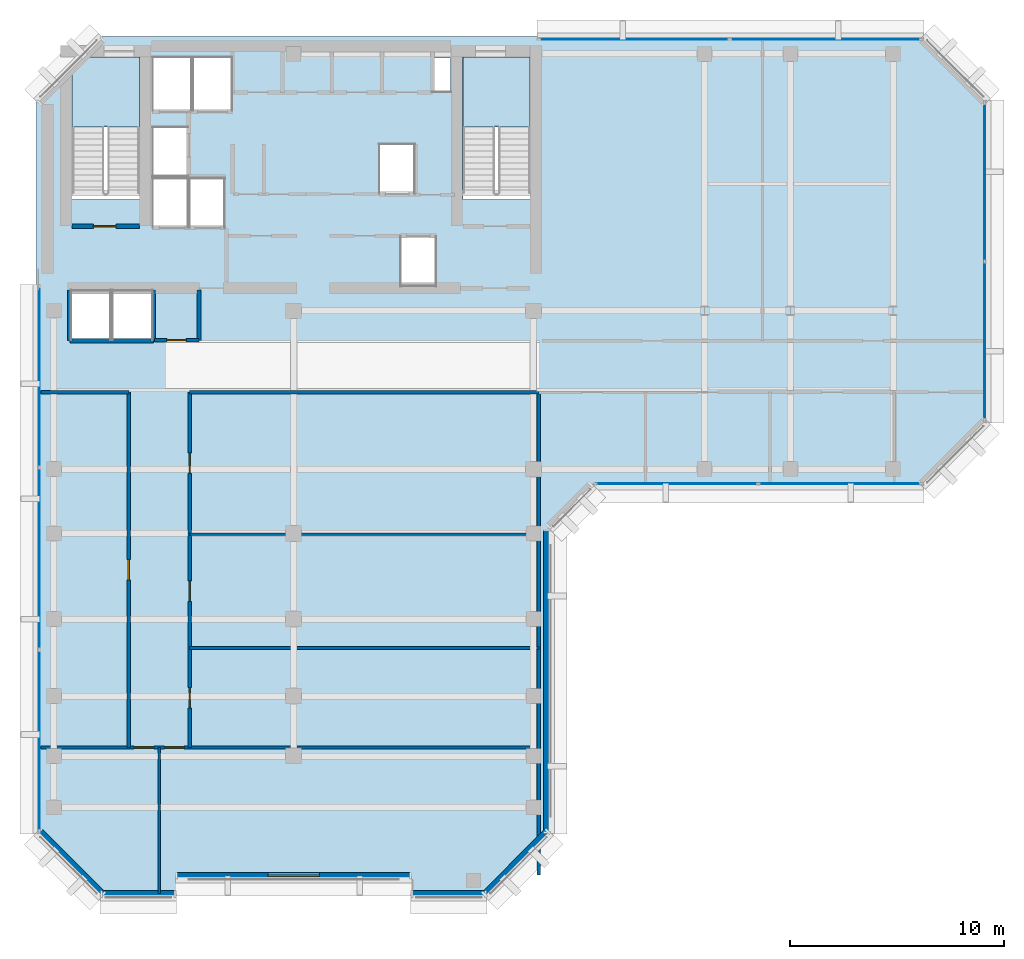
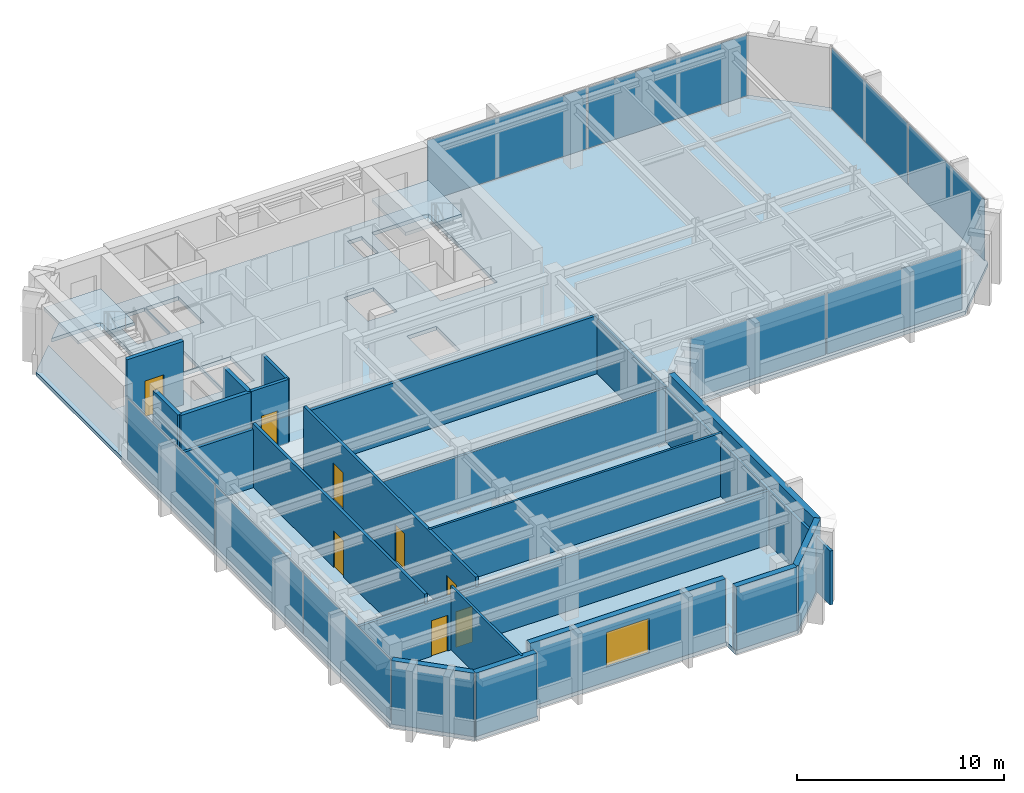
# One storey, part 6 of 12: 21 walls, 9 plates, 8 doors, 3 slabs, 1 window, 9 openings, 6 elements without a shape of their own.
"""IFC4 building model written with IfcOpenShell, lengths in metres."""

from ifc_helpers import new_model, si_unit, direction, frame, frame_2d, origin, origin_2d, place, context, subcontext, project, spatial, polyline, rectangle, outline, extrude, material, layer, layer_set, type_object, element, fill, aggregate, save


model = new_model("IFC4")

# Units and contexts
model_context = context("Model", 3, precision=1e-05, world=origin(), true_north=direction((0.0, 1.0)))
body_context = subcontext(model_context, "Body", "Model", "MODEL_VIEW")
ifc_project = project(units=[si_unit("LENGTHUNIT", "METRE"), si_unit("AREAUNIT", "SQUARE_METRE"), si_unit("VOLUMEUNIT", "CUBIC_METRE"), si_unit("PLANEANGLEUNIT", "RADIAN"), si_unit("MASSUNIT", "GRAM", prefix="KILO")], contexts=[model_context])

# Site, building, storey
site_placement = place(None, origin())
site = spatial("IfcSite", under=ifc_project, at=site_placement, CompositionType="ELEMENT")
building_placement = place(site_placement, origin())
building = spatial("IfcBuilding", under=site, at=building_placement, Name="Kefirva Bronze Tower", CompositionType="ELEMENT")
storey_placement = place(building_placement, frame((0.0, 0.0, 280.169921875)))
storey = spatial("IfcBuildingStorey", under=building, at=storey_placement, Name="L68", CompositionType="ELEMENT", Elevation=280.169921875)

# Stair, slab
ifc_material_1 = material(Name="Concrete C40/50", Category="concrete")
stair_type = type_object("IfcStairType", Name="RC Dogleg Protected Stair 24R", PredefinedType="HALF_TURN_STAIR", material=ifc_material_1)
stair_1_placement = place(storey_placement, origin())
stair_1 = element("IfcStair", 1, at=stair_1_placement, inside=storey, type_object=stair_type, Name="L68 Protected Exit Stair 1", PredefinedType="HALF_TURN_STAIR")
ifc_layer_1 = layer(ifc_material_1, 0.199951171875, Name="Concrete C40/50")
ifc_layer_set_1 = layer_set([ifc_layer_1], Name="Concrete C40/50")
slab_type_1 = type_object("IfcSlabType", Name="RC Stair Landing Slab 200mm", PredefinedType="LANDING", material=ifc_layer_set_1)
slab_1_placement = place(storey_placement, frame((0.0, 0.0, 1.780029296875)))
slab_1 = element("IfcSlab", 2, at=slab_1_placement, type_object=slab_type_1, Name="ST-1 landing 1", PredefinedType="LANDING", context=body_context, shape_type="SweptSolid", body=[
    extrude(outline(polyline([(4.800048828125, 41.780029296875), (4.800048828125, 45.050048828125), (1.64990234375, 45.050048828125), (1.64990234375, 41.780029296875), (4.800048828125, 41.780029296875)])), origin(), (0.0, 0.0, 1.0), 0.199951171875),
])
aggregate(stair_1, [slab_1])

stair_2_placement = place(storey_placement, origin())
stair_2 = element("IfcStair", 3, at=stair_2_placement, inside=storey, type_object=stair_type, Name="L68 Protected Exit Stair 2", PredefinedType="HALF_TURN_STAIR")
slab_2_placement = place(storey_placement, frame((0.0, 0.0, 1.780029296875)))
slab_2 = element("IfcSlab", 4, at=slab_2_placement, type_object=slab_type_1, Name="ST-2 landing 1", PredefinedType="LANDING", context=body_context, shape_type="SweptSolid", body=[
    extrude(outline(polyline([(23.050048828125, 41.780029296875), (23.050048828125, 45.050048828125), (19.89990234375, 45.050048828125), (19.89990234375, 41.780029296875), (23.050048828125, 41.780029296875)])), origin(), (0.0, 0.0, 1.0), 0.199951171875),
])
aggregate(stair_2, [slab_2])

# Slab
ifc_layer_2 = layer(ifc_material_1, 0.219970703125, Name="Concrete C40/50")
ifc_layer_set_2 = layer_set([ifc_layer_2], Name="Concrete C40/50")
slab_type_2 = type_object("IfcSlabType", Name="RC Upper Floor Slab 220mm", PredefinedType="FLOOR", material=ifc_layer_set_2)
slab_3_placement = place(storey_placement, frame((0.0, 0.0, -0.219970703125)))
element("IfcSlab", 5, at=slab_3_placement, inside=storey, type_object=slab_type_2, Name="L68 Structural Floor Slab", PredefinedType="FLOOR", context=body_context, shape_type="SweptSolid", body=[
    extrude(outline(polyline([(0.0, 8.800048828125), (0.0, 43.0), (1.64990234375, 44.64990234375), (1.64990234375, 38.39990234375), (4.800048828125, 38.39990234375), (4.800048828125, 45.050048828125), (2.050048828125, 45.050048828125), (3.0, 46.0), (41.39990234375, 46.0), (44.39990234375, 43.0), (44.39990234375, 28.0), (41.39990234375, 25.0), (26.0, 25.0), (24.0, 23.0), (24.0, 8.800048828125), (21.0, 5.800048828125), (17.5, 5.800048828125), (17.5, 6.64990234375), (6.5, 6.64990234375), (6.5, 5.800048828125), (3.0, 5.800048828125), (0.0, 8.800048828125)]), holes=[polyline([(23.050048828125, 45.050048828125), (19.89990234375, 45.050048828125), (19.89990234375, 38.39990234375), (23.050048828125, 38.39990234375), (23.050048828125, 45.050048828125)]), polyline([(19.320068359375, 43.419921875), (19.320068359375, 45.0), (18.52001953125, 45.0), (18.52001953125, 43.419921875), (19.320068359375, 43.419921875)]), polyline([(18.64990234375, 36.64990234375), (17.0, 36.64990234375), (17.0, 34.35009765625), (18.64990234375, 34.35009765625), (18.64990234375, 36.64990234375)]), polyline([(17.64990234375, 38.679931640625), (17.64990234375, 40.97998046875), (16.0, 40.97998046875), (16.0, 38.679931640625), (17.64990234375, 38.679931640625)]), polyline([(9.1201171875, 42.550048828125), (9.1201171875, 45.050048828125), (7.300048828125, 45.050048828125), (7.300048828125, 42.550048828125), (9.1201171875, 42.550048828125)]), polyline([(8.780029296875, 37.10009765625), (8.780029296875, 39.39990234375), (7.139892578125, 39.39990234375), (7.139892578125, 37.10009765625), (8.780029296875, 37.10009765625)]), polyline([(7.239990234375, 42.550048828125), (7.239990234375, 45.050048828125), (5.419921875, 45.050048828125), (5.419921875, 42.550048828125), (7.239990234375, 42.550048828125)]), polyline([(7.06005859375, 37.10009765625), (7.06005859375, 39.39990234375), (5.419921875, 39.39990234375), (5.419921875, 37.10009765625), (7.06005859375, 37.10009765625)]), polyline([(7.06005859375, 41.780029296875), (5.419921875, 41.780029296875), (5.419921875, 39.47998046875), (7.06005859375, 39.47998046875), (7.06005859375, 41.780029296875)]), polyline([(5.39990234375, 31.85009765625), (5.39990234375, 34.14990234375), (3.550048828125, 34.14990234375), (3.550048828125, 31.85009765625), (5.39990234375, 31.85009765625)]), polyline([(3.449951171875, 34.14990234375), (1.60009765625, 34.14990234375), (1.60009765625, 31.85009765625), (3.449951171875, 31.85009765625), (3.449951171875, 34.14990234375)])]), origin(), (0.0, 0.0, 1.0), 0.219970703125),
])

# Curtain wall, plates
ifc_material_2 = material(Name="Bronze anodised aluminium", Category="aluminium")
ifc_layer_3 = layer(ifc_material_2, 0.179931640625, Name="Bronze anodised aluminium")
ifc_layer_set_3 = layer_set([ifc_layer_3], Name="Bronze anodised aluminium")
curtain_wall_type = type_object("IfcCurtainWallType", Name="Unitised Bronze Ribbon Curtain Wall Zone 4", PredefinedType="USERDEFINED", material=ifc_layer_set_3)
curtain_wall_1_placement = place(storey_placement, origin())
curtain_wall_1 = element("IfcCurtainWall", 6, at=curtain_wall_1_placement, inside=storey, type_object=curtain_wall_type, Name="L68 Curtain Wall 1", ObjectType="UNITISED CURTAIN WALL", PredefinedType="USERDEFINED")
ifc_material_3 = material(Name="Laminated low-E double glazing", Category="glass")
ifc_layer_4 = layer(ifc_material_3, 0.031982421875, Name="Laminated low-E double glazing")
ifc_layer_set_4 = layer_set([ifc_layer_4], Name="Laminated low-E double glazing")
plate_type = type_object("IfcPlateType", Name="Solar-Control Low-E Vision Panel 32mm", PredefinedType="CURTAIN_PANEL", material=ifc_layer_set_4)
plate_1_placement = place(storey_placement, frame((29.896240234375, 25.1201171875, 0.0751953125), z_axis=(0.0, 0.0, 1.0), x_axis=(1.0, 0.0, 0.0)))
plate_1 = element("IfcPlate", 7, at=plate_1_placement, type_object=plate_type, Name="CW-04 panel 1.1", PredefinedType="CURTAIN_PANEL", context=body_context, shape_type="SweptSolid", body=[
    extrude(rectangle(XDim=7.532470703125, YDim=0.031982421875, at=origin_2d()), origin(), (0.0, 0.0, 1.0), 3.590087890625),
])
plate_2_placement = place(storey_placement, frame((37.503662109375, 25.1201171875, 0.0751953125), z_axis=(0.0, 0.0, 1.0), x_axis=(1.0, 0.0, 0.0)))
plate_2 = element("IfcPlate", 8, at=plate_2_placement, type_object=plate_type, Name="CW-04 panel 2.1", PredefinedType="CURTAIN_PANEL", context=body_context, shape_type="SweptSolid", body=[
    extrude(rectangle(XDim=7.532470703125, YDim=0.031982421875, at=origin_2d()), origin(), (0.0, 0.0, 1.0), 3.590087890625),
])
aggregate(curtain_wall_1, [plate_1, plate_2])

curtain_wall_2_placement = place(storey_placement, origin())
curtain_wall_2 = element("IfcCurtainWall", 9, at=curtain_wall_2_placement, inside=storey, type_object=curtain_wall_type, Name="L68 Curtain Wall 2", ObjectType="UNITISED CURTAIN WALL", PredefinedType="USERDEFINED")
plate_3_placement = place(storey_placement, frame((44.280029296875, 31.796142578125, 0.0751953125), z_axis=(0.0, 0.0, 1.0), x_axis=(0.0, 1.0, 0.0)))
plate_3 = element("IfcPlate", 10, at=plate_3_placement, type_object=plate_type, Name="CW-04 panel 1.1", PredefinedType="CURTAIN_PANEL", context=body_context, shape_type="SweptSolid", body=[
    extrude(rectangle(XDim=7.33251953125, YDim=0.031982421875, at=origin_2d()), origin(), (0.0, 0.0, 1.0), 3.590087890625),
])
plate_4_placement = place(storey_placement, frame((44.280029296875, 39.203857421875, 0.0751953125), z_axis=(0.0, 0.0, 1.0), x_axis=(0.0, 1.0, 0.0)))
plate_4 = element("IfcPlate", 11, at=plate_4_placement, type_object=plate_type, Name="CW-04 panel 2.1", PredefinedType="CURTAIN_PANEL", context=body_context, shape_type="SweptSolid", body=[
    extrude(rectangle(XDim=7.33251953125, YDim=0.031982421875, at=origin_2d()), origin(), (0.0, 0.0, 1.0), 3.590087890625),
])
aggregate(curtain_wall_2, [plate_3, plate_4])

curtain_wall_3_placement = place(storey_placement, origin())
curtain_wall_3 = element("IfcCurtainWall", 12, at=curtain_wall_3_placement, inside=storey, type_object=curtain_wall_type, Name="L68 Curtain Wall 3", ObjectType="UNITISED CURTAIN WALL", PredefinedType="USERDEFINED")
plate_5_placement = place(storey_placement, frame((36.84130859375, 45.8798828125, 0.0751953125), z_axis=(0.0, 0.0, 1.0), x_axis=(-1.0, 0.0, 0.0)))
plate_5 = element("IfcPlate", 13, at=plate_5_placement, type_object=plate_type, Name="CW-04 panel 1.1", PredefinedType="CURTAIN_PANEL", context=body_context, shape_type="SweptSolid", body=[
    extrude(rectangle(XDim=8.857421875, YDim=0.031982421875, at=origin_2d()), origin(), (0.0, 0.0, 1.0), 3.590087890625),
])
plate_6_placement = place(storey_placement, frame((27.90869140625, 45.8798828125, 0.0751953125), z_axis=(0.0, 0.0, 1.0), x_axis=(-1.0, 0.0, 0.0)))
plate_6 = element("IfcPlate", 14, at=plate_6_placement, type_object=plate_type, Name="CW-04 panel 2.1", PredefinedType="CURTAIN_PANEL", context=body_context, shape_type="SweptSolid", body=[
    extrude(rectangle(XDim=8.857421875, YDim=0.031982421875, at=origin_2d()), origin(), (0.0, 0.0, 1.0), 3.590087890625),
])
aggregate(curtain_wall_3, [plate_5, plate_6])

curtain_wall_4_placement = place(storey_placement, origin())
curtain_wall_4 = element("IfcCurtainWall", 15, at=curtain_wall_4_placement, inside=storey, type_object=curtain_wall_type, Name="L68 Curtain Wall 4", ObjectType="UNITISED CURTAIN WALL", PredefinedType="USERDEFINED")
plate_7_placement = place(storey_placement, frame((0.1201171875, 30.11962890625, 0.0751953125), z_axis=(0.0, 0.0, 1.0), x_axis=(0.0, -1.0, 0.0)))
plate_7 = element("IfcPlate", 16, at=plate_7_placement, type_object=plate_type, Name="CW-04 panel 1.1", PredefinedType="CURTAIN_PANEL", context=body_context, shape_type="SweptSolid", body=[
    extrude(rectangle(XDim=8.40087890625, YDim=0.031982421875, at=origin_2d()), origin(), (0.0, 0.0, 1.0), 3.590087890625),
])
plate_8_placement = place(storey_placement, frame((0.1201171875, 21.625, 0.0751953125), z_axis=(0.0, 0.0, 1.0), x_axis=(0.0, -1.0, 0.0)))
plate_8 = element("IfcPlate", 17, at=plate_8_placement, type_object=plate_type, Name="CW-04 panel 2.1", PredefinedType="CURTAIN_PANEL", context=body_context, shape_type="SweptSolid", body=[
    extrude(rectangle(XDim=8.438232421875, YDim=0.031982421875, at=origin_2d()), origin(), (0.0, 0.0, 1.0), 3.590087890625),
])
plate_9_placement = place(storey_placement, frame((0.1201171875, 13.13037109375, 0.0751953125), z_axis=(0.0, 0.0, 1.0), x_axis=(0.0, -1.0, 0.0)))
plate_9 = element("IfcPlate", 18, at=plate_9_placement, type_object=plate_type, Name="CW-04 panel 3.1", PredefinedType="CURTAIN_PANEL", context=body_context, shape_type="SweptSolid", body=[
    extrude(rectangle(XDim=8.40087890625, YDim=0.031982421875, at=origin_2d()), origin(), (0.0, 0.0, 1.0), 3.590087890625),
])
aggregate(curtain_wall_4, [plate_7, plate_8, plate_9])

# Walls
ifc_material_4 = material(Name="Gypsum acoustic partition")
ifc_layer_5 = layer(ifc_material_4, 0.1298828125, Name="Gypsum acoustic partition")
ifc_layer_set_5 = layer_set([ifc_layer_5], Name="Gypsum acoustic partition")
wall_type_1 = type_object("IfcWallType", Name="Acoustic Office Partition 130mm", PredefinedType="PARTITIONING", material=ifc_layer_set_5)
wall_1_placement = place(storey_placement, frame((5.719970703125, 5.989990234375, 0.0), z_axis=(0.0, 0.0, 1.0), x_axis=(0.0, 1.0, 0.0)))
element("IfcWall", 19, at=wall_1_placement, inside=storey, type_object=wall_type_1, Name="L68 Partition W-L68-CAPDV", PredefinedType="PARTITIONING", context=body_context, shape_type="SweptSolid", body=[
    extrude(rectangle(XDim=6.81005859375, YDim=0.1298828125, at=frame_2d((3.405029296875, 0.0))), origin(), (0.0, 0.0, 1.0), 3.739990234375),
])
wall_2_placement = place(storey_placement, frame((7.139892578125, 17.447998046875, 0.0), z_axis=(0.0, 0.0, 1.0), x_axis=(1.0, 0.0, 0.0)))
element("IfcWall", 20, at=wall_2_placement, inside=storey, type_object=wall_type_1, Name="L68 Partition W-L68-SED1", PredefinedType="PARTITIONING", context=body_context, shape_type="SweptSolid", body=[
    extrude(rectangle(XDim=16.31005859375, YDim=0.1298828125, at=frame_2d((8.155029296875, 0.0))), origin(), (0.0, 0.0, 1.0), 3.739990234375),
])
wall_3_placement = place(storey_placement, frame((7.139892578125, 22.760009765625, 0.0), z_axis=(0.0, 0.0, 1.0), x_axis=(1.0, 0.0, 0.0)))
element("IfcWall", 21, at=wall_3_placement, inside=storey, type_object=wall_type_1, Name="L68 Partition W-L68-SED2", PredefinedType="PARTITIONING", context=body_context, shape_type="SweptSolid", body=[
    extrude(rectangle(XDim=16.31005859375, YDim=0.1298828125, at=frame_2d((8.155029296875, 0.0))), origin(), (0.0, 0.0, 1.0), 3.175048828125),
])

# Wall, opening, door
ifc_material_5 = material(Name="Gypsum fireboard shaftwall")
ifc_layer_6 = layer(ifc_material_5, 0.219970703125, Name="Gypsum fireboard shaftwall")
ifc_layer_set_6 = layer_set([ifc_layer_6], Name="Gypsum fireboard shaftwall")
wall_type_2 = type_object("IfcWallType", Name="Fire-Rated Shaft Enclosure Wall 220mm", PredefinedType="PARTITIONING", material=ifc_layer_set_6)
wall_4_placement = place(storey_placement, frame((1.64990234375, 37.14990234375, 0.0), z_axis=(0.0, 0.0, 1.0), x_axis=(1.0, 0.0, 0.0)))
wall_4 = element("IfcWall", 22, at=wall_4_placement, inside=storey, type_object=wall_type_2, Name="L68 Partition W-L68-ST1S", PredefinedType="PARTITIONING", context=body_context, shape_type="SweptSolid", body=[
    extrude(rectangle(XDim=3.150146484375, YDim=0.219970703125, at=frame_2d((1.5751953125, 0.0))), origin(), (0.0, 0.0, 1.0), 3.739990234375),
])
opening_1_placement = place(wall_4_placement, frame((2.050048828125, 0.0, 0.0), z_axis=(0.0, 0.0, 1.0), x_axis=(-1.0, 0.0, 0.0)))
opening_1 = element("IfcOpeningElement", 23, at=opening_1_placement, cuts=wall_4, Name="Opening L68-D001", PredefinedType="OPENING", context=body_context, shape_type="SweptSolid", body=[
    extrude(rectangle(XDim=1.050048828125, YDim=2.14990234375, at=frame_2d((0.52490234375, 1.074951171875))), frame((0.0, 0.1201171875, 0.0), z_axis=(0.0, -1.0, 0.0), x_axis=(1.0, 0.0, 0.0)), (0.0, 0.0, 1.0), 0.239990234375),
])
ifc_material_6 = material(Name="Painted galvanized steel", Category="steel")
door_type_1 = type_object("IfcDoorType", Name="Fire Stair Enclosure Door 1050x2150 FD90S", OperationType="NOTDEFINED", PredefinedType="DOOR", material=ifc_material_6)
door_1_placement = place(opening_1_placement, origin())
door_1 = element("IfcDoor", 24, at=door_1_placement, inside=storey, type_object=door_type_1, Name="Door L68-D001", OperationType="SINGLE_SWING_RIGHT", OverallHeight=2.14990234375, OverallWidth=1.050048828125, PredefinedType="DOOR", context=body_context, shape_type="SweptSolid", body=[
    extrude(rectangle(XDim=1.050048828125, YDim=2.14990234375, at=frame_2d((0.52490234375, 1.074951171875))), frame((0.0, 0.02490234375, 0.0), z_axis=(0.0, -1.0, 0.0), x_axis=(1.0, 0.0, 0.0)), (0.0, 0.0, 1.0), 0.050048828125),
])
fill(opening_1, door_1)

# Walls
wall_5_placement = place(storey_placement, frame((1.550048828125, 31.800048828125, 0.0), z_axis=(0.0, 0.0, 1.0), x_axis=(1.0, 0.0, 0.0)))
element("IfcWall", 25, at=wall_5_placement, inside=storey, type_object=wall_type_2, Name="L68 Partition W-L68-OBS", PredefinedType="PARTITIONING", context=body_context, shape_type="SweptSolid", body=[
    extrude(rectangle(XDim=3.89990234375, YDim=0.219970703125, at=frame_2d((1.949951171875, 0.0))), origin(), (0.0, 0.0, 1.0), 3.739990234375),
])
for number, where, z_axis, x_axis, name in (
    (26, (1.550048828125, 31.800048828125, 0.0), (0.0, 0.0, 1.0), (0.0, 1.0, 0.0), "L68 Partition W-L68-OBW"),
    (27, (5.449951171875, 31.800048828125, 0.0), (0.0, 0.0, 1.0), (0.0, 1.0, 0.0), "L68 Partition W-L68-OBE"),
):
    element("IfcWall", number, at=place(storey_placement, frame(where, z_axis=z_axis, x_axis=x_axis)), inside=storey, type_object=wall_type_2, Name=name, PredefinedType="PARTITIONING", context=body_context, shape_type="SweptSolid", body=[
        extrude(rectangle(XDim=2.3798828125, YDim=0.219970703125, at=frame_2d((1.18994140625, 0.0))), origin(), (0.0, 0.0, 1.0), 3.739990234375),
    ])
ifc_material_7 = material(Name="Precast concrete C40/50", Category="concrete")
ifc_layer_7 = layer(ifc_material_7, 0.320068359375, Name="Precast concrete C40/50")
ifc_layer_set_7 = layer_set([ifc_layer_7], Name="Precast concrete C40/50")
wall_type_3 = type_object("IfcWallType", Name="Precast Insulated Exterior Wall 320mm", PredefinedType="SOLIDWALL", material=ifc_layer_set_7)
wall_6_placement = place(storey_placement, frame((3.054931640625, 5.9599609375, 0.0), z_axis=(0.0, 0.0, 1.0), x_axis=(1.0, 0.0, 0.0)))
element("IfcWall", 28, at=wall_6_placement, inside=storey, type_object=wall_type_3, Name="L68 Exterior Facade Wall 1", PredefinedType="SOLIDWALL", context=body_context, shape_type="SweptSolid", body=[
    extrude(rectangle(XDim=3.39013671875, YDim=0.320068359375, at=frame_2d((1.695068359375, 0.0))), origin(), (0.0, 0.0, 1.0), 3.739990234375),
])

# Wall, opening, window
wall_7_placement = place(storey_placement, frame((6.554931640625, 6.81005859375, 0.0), z_axis=(0.0, 0.0, 1.0), x_axis=(1.0, 0.0, 0.0)))
wall_7 = element("IfcWall", 29, at=wall_7_placement, inside=storey, type_object=wall_type_3, Name="L68 Exterior Facade Wall 2", PredefinedType="SOLIDWALL", context=body_context, shape_type="SweptSolid", body=[
    extrude(rectangle(XDim=10.89013671875, YDim=0.320068359375, at=frame_2d((5.445068359375, 0.0))), origin(), (0.0, 0.0, 1.0), 3.739990234375),
])
opening_2_placement = place(wall_7_placement, frame((4.2451171875, 0.0, 0.85009765625)))
opening_2 = element("IfcOpeningElement", 30, at=opening_2_placement, cuts=wall_7, Name="Opening WN-01", PredefinedType="OPENING", context=body_context, shape_type="SweptSolid", body=[
    extrude(rectangle(XDim=2.39990234375, YDim=2.050048828125, at=frame_2d((1.199951171875, 1.02490234375))), frame((0.0, 0.169921875, 0.0), z_axis=(0.0, -1.0, 0.0), x_axis=(1.0, 0.0, 0.0)), (0.0, 0.0, 1.0), 0.340087890625),
])
window_type = type_object("IfcWindowType", Name="Streamline Ribbon Window 2400x2050", PartitioningType="SINGLE_PANEL", PredefinedType="WINDOW", material=ifc_material_3)
window_placement = place(opening_2_placement, origin())
window = element("IfcWindow", 31, at=window_placement, inside=storey, type_object=window_type, Name="L68 Ribbon Window 2", OverallHeight=2.050048828125, OverallWidth=2.39990234375, PartitioningType="SINGLE_PANEL", PredefinedType="WINDOW", context=body_context, shape_type="SweptSolid", body=[
    extrude(rectangle(XDim=2.39990234375, YDim=2.050048828125, at=frame_2d((1.199951171875, 1.02490234375))), frame((0.0, 0.030029296875, 0.0), z_axis=(0.0, -1.0, 0.0), x_axis=(1.0, 0.0, 0.0)), (0.0, 0.0, 1.0), 0.06005859375),
])
fill(opening_2, window)

# Walls
wall_8_placement = place(storey_placement, frame((17.554931640625, 5.9599609375, 0.0), z_axis=(0.0, 0.0, 1.0), x_axis=(1.0, 0.0, 0.0)))
element("IfcWall", 32, at=wall_8_placement, inside=storey, type_object=wall_type_3, Name="L68 Exterior Facade Wall 3", PredefinedType="SOLIDWALL", context=body_context, shape_type="SweptSolid", body=[
    extrude(rectangle(XDim=3.39013671875, YDim=0.320068359375, at=frame_2d((1.695068359375, 0.0))), origin(), (0.0, 0.0, 1.0), 3.739990234375),
])
wall_9_placement = place(storey_placement, frame((20.92578125, 5.951904296875, 0.0), z_axis=(0.0, 0.0, 1.0), x_axis=(0.707077242712, 0.707136318428, 0.0)))
element("IfcWall", 33, at=wall_9_placement, inside=storey, type_object=wall_type_3, Name="L68 Exterior Facade Wall 4", PredefinedType="SOLIDWALL", context=body_context, shape_type="SweptSolid", body=[
    extrude(rectangle(XDim=4.132568359375, YDim=0.320068359375, at=frame_2d((2.06640625, 0.0))), origin(), (0.0, 0.0, 1.0), 3.739990234375),
])
wall_10_placement = place(storey_placement, frame((23.840087890625, 8.85498046875, 0.0), z_axis=(0.0, 0.0, 1.0), x_axis=(0.0, 1.0, 0.0)))
element("IfcWall", 34, at=wall_10_placement, inside=storey, type_object=wall_type_3, Name="L68 Exterior Facade Wall 5", PredefinedType="SOLIDWALL", context=body_context, shape_type="SweptSolid", body=[
    extrude(rectangle(XDim=14.090087890625, YDim=0.320068359375, at=frame_2d((7.044921875, 0.0))), origin(), (0.0, 0.0, 1.0), 3.739990234375),
])
wall_11_placement = place(storey_placement, frame((0.152099609375, 8.874267578125, 0.0), z_axis=(0.0, 0.0, 1.0), x_axis=(0.707077242712, -0.707136318428, 0.0)))
element("IfcWall", 35, at=wall_11_placement, inside=storey, type_object=wall_type_3, Name="L68 Exterior Facade Wall 10", PredefinedType="SOLIDWALL", context=body_context, shape_type="SweptSolid", body=[
    extrude(rectangle(XDim=4.132568359375, YDim=0.320068359375, at=frame_2d((2.06640625, 0.0))), origin(), (0.0, 0.0, 1.0), 3.739990234375),
])

# Wall, opening, door
ifc_layer_8 = layer(ifc_material_4, 0.159912109375, Name="Gypsum acoustic partition")
ifc_layer_set_8 = layer_set([ifc_layer_8], Name="Gypsum acoustic partition")
wall_type_4 = type_object("IfcWallType", Name="Protected Corridor Partition 160mm", PredefinedType="PARTITIONING", material=ifc_layer_set_8)
wall_12_placement = place(storey_placement, frame((4.300048828125, 12.800048828125, 0.0), z_axis=(0.0, 0.0, 1.0), x_axis=(0.0, 1.0, 0.0)))
wall_12 = element("IfcWall", 36, at=wall_12_placement, inside=storey, type_object=wall_type_4, Name="L68 Partition W-L68-SWCORW", PredefinedType="PARTITIONING", context=body_context, shape_type="SweptSolid", body=[
    extrude(rectangle(XDim=16.599853515625, YDim=0.159912109375, at=frame_2d((8.2998046875, 0.0))), origin(), (0.0, 0.0, 1.0), 3.739990234375),
])
opening_3_placement = place(wall_12_placement, frame((8.77490234375, 0.0, 0.0), z_axis=(0.0, 0.0, 1.0), x_axis=(-1.0, 0.0, 0.0)))
opening_3 = element("IfcOpeningElement", 37, at=opening_3_placement, cuts=wall_12, Name="Opening L68-D-SW1", PredefinedType="OPENING", context=body_context, shape_type="SweptSolid", body=[
    extrude(rectangle(XDim=0.949951171875, YDim=2.14990234375, at=frame_2d((0.47509765625, 1.074951171875))), frame((0.0, 0.08984375, 0.0), z_axis=(0.0, -1.0, 0.0), x_axis=(1.0, 0.0, 0.0)), (0.0, 0.0, 1.0), 0.179931640625),
])
ifc_material_8 = material(Name="Acoustic hardwood oak", Category="wood")
door_type_2 = type_object("IfcDoorType", Name="Office & Meeting Room Door 950x2150", OperationType="NOTDEFINED", PredefinedType="DOOR", material=ifc_material_8)
door_2_placement = place(opening_3_placement, origin())
door_2 = element("IfcDoor", 38, at=door_2_placement, inside=storey, type_object=door_type_2, Name="Door L68-D-SW1", OperationType="SINGLE_SWING_LEFT", OverallHeight=2.14990234375, OverallWidth=0.949951171875, PredefinedType="DOOR", context=body_context, shape_type="SweptSolid", body=[
    extrude(rectangle(XDim=0.949951171875, YDim=2.14990234375, at=frame_2d((0.47509765625, 1.074951171875))), frame((0.0, 0.02490234375, 0.0), z_axis=(0.0, -1.0, 0.0), x_axis=(1.0, 0.0, 0.0)), (0.0, 0.0, 1.0), 0.050048828125),
])
fill(opening_3, door_2)

# Wall, openings, doors
wall_13_placement = place(storey_placement, frame((7.139892578125, 12.800048828125, 0.0), z_axis=(0.0, 0.0, 1.0), x_axis=(0.0, 1.0, 0.0)))
wall_13 = element("IfcWall", 39, at=wall_13_placement, inside=storey, type_object=wall_type_4, Name="L68 Partition W-L68-SECORE", PredefinedType="PARTITIONING", context=body_context, shape_type="SweptSolid", body=[
    extrude(rectangle(XDim=16.599853515625, YDim=0.159912109375, at=frame_2d((8.2998046875, 0.0))), origin(), (0.0, 0.0, 1.0), 3.739990234375),
])
opening_4_placement = place(wall_13_placement, frame((1.84912109375, 0.0, 0.0)))
opening_4 = element("IfcOpeningElement", 40, at=opening_4_placement, cuts=wall_13, Name="Opening L68-D-SE1", PredefinedType="OPENING", context=body_context, shape_type="SweptSolid", body=[
    extrude(rectangle(XDim=0.949951171875, YDim=2.14990234375, at=frame_2d((0.47509765625, 1.074951171875))), frame((0.0, 0.08984375, 0.0), z_axis=(0.0, -1.0, 0.0), x_axis=(1.0, 0.0, 0.0)), (0.0, 0.0, 1.0), 0.179931640625),
])
opening_5_placement = place(wall_13_placement, frame((6.8291015625, 0.0, 0.0)))
opening_5 = element("IfcOpeningElement", 41, at=opening_5_placement, cuts=wall_13, Name="Opening L68-D-SE2", PredefinedType="OPENING", context=body_context, shape_type="SweptSolid", body=[
    extrude(rectangle(XDim=0.949951171875, YDim=2.14990234375, at=frame_2d((0.47509765625, 1.074951171875))), frame((0.0, 0.08984375, 0.0), z_axis=(0.0, -1.0, 0.0), x_axis=(1.0, 0.0, 0.0)), (0.0, 0.0, 1.0), 0.179931640625),
])
opening_6_placement = place(wall_13_placement, frame((12.804931640625, 0.0, 0.0)))
opening_6 = element("IfcOpeningElement", 42, at=opening_6_placement, cuts=wall_13, Name="Opening L68-D-SE3", PredefinedType="OPENING", context=body_context, shape_type="SweptSolid", body=[
    extrude(rectangle(XDim=0.949951171875, YDim=2.14990234375, at=frame_2d((0.47509765625, 1.074951171875))), frame((0.0, 0.08984375, 0.0), z_axis=(0.0, -1.0, 0.0), x_axis=(1.0, 0.0, 0.0)), (0.0, 0.0, 1.0), 0.179931640625),
])
door_3_placement = place(opening_4_placement, origin())
door_3 = element("IfcDoor", 43, at=door_3_placement, inside=storey, type_object=door_type_2, Name="Door L68-D-SE1", OperationType="SINGLE_SWING_RIGHT", OverallHeight=2.14990234375, OverallWidth=0.949951171875, PredefinedType="DOOR", context=body_context, shape_type="SweptSolid", body=[
    extrude(rectangle(XDim=0.949951171875, YDim=2.14990234375, at=frame_2d((0.47509765625, 1.074951171875))), frame((0.0, 0.02490234375, 0.0), z_axis=(0.0, -1.0, 0.0), x_axis=(1.0, 0.0, 0.0)), (0.0, 0.0, 1.0), 0.050048828125),
])
fill(opening_4, door_3)
door_4_placement = place(opening_5_placement, origin())
door_4 = element("IfcDoor", 44, at=door_4_placement, inside=storey, type_object=door_type_2, Name="Door L68-D-SE2", OperationType="SINGLE_SWING_LEFT", OverallHeight=2.14990234375, OverallWidth=0.949951171875, PredefinedType="DOOR", context=body_context, shape_type="SweptSolid", body=[
    extrude(rectangle(XDim=0.949951171875, YDim=2.14990234375, at=frame_2d((0.47509765625, 1.074951171875))), frame((0.0, 0.02490234375, 0.0), z_axis=(0.0, -1.0, 0.0), x_axis=(1.0, 0.0, 0.0)), (0.0, 0.0, 1.0), 0.050048828125),
])
fill(opening_5, door_4)
door_5_placement = place(opening_6_placement, origin())
door_5 = element("IfcDoor", 45, at=door_5_placement, inside=storey, type_object=door_type_2, Name="Door L68-D-SE3", OperationType="SINGLE_SWING_RIGHT", OverallHeight=2.14990234375, OverallWidth=0.949951171875, PredefinedType="DOOR", context=body_context, shape_type="SweptSolid", body=[
    extrude(rectangle(XDim=0.949951171875, YDim=2.14990234375, at=frame_2d((0.47509765625, 1.074951171875))), frame((0.0, 0.02490234375, 0.0), z_axis=(0.0, -1.0, 0.0), x_axis=(1.0, 0.0, 0.0)), (0.0, 0.0, 1.0), 0.050048828125),
])
fill(opening_6, door_5)

wall_14_placement = place(storey_placement, frame((0.18994140625, 12.800048828125, 0.0), z_axis=(0.0, 0.0, 1.0), x_axis=(1.0, 0.0, 0.0)))
wall_14 = element("IfcWall", 46, at=wall_14_placement, inside=storey, type_object=wall_type_4, Name="L68 Partition W-L68-SBEND", PredefinedType="PARTITIONING", context=body_context, shape_type="SweptSolid", body=[
    extrude(rectangle(XDim=23.260009765625, YDim=0.159912109375, at=frame_2d((11.6298828125, 0.0))), origin(), (0.0, 0.0, 1.0), 3.175048828125),
])
opening_7_placement = place(wall_14_placement, frame((4.360107421875, 0.0, 0.0)))
opening_7 = element("IfcOpeningElement", 47, at=opening_7_placement, cuts=wall_14, Name="Opening L68-D-SEND1", PredefinedType="OPENING", context=body_context, shape_type="SweptSolid", body=[
    extrude(rectangle(XDim=0.919921875, YDim=2.10009765625, at=frame_2d((0.4599609375, 1.050048828125))), frame((0.0, 0.08984375, 0.0), z_axis=(0.0, -1.0, 0.0), x_axis=(1.0, 0.0, 0.0)), (0.0, 0.0, 1.0), 0.179931640625),
])
opening_8_placement = place(wall_14_placement, frame((5.780029296875, 0.0, 0.0)))
opening_8 = element("IfcOpeningElement", 48, at=opening_8_placement, cuts=wall_14, Name="Opening L68-D-SEND2", PredefinedType="OPENING", context=body_context, shape_type="SweptSolid", body=[
    extrude(rectangle(XDim=0.919921875, YDim=2.10009765625, at=frame_2d((0.4599609375, 1.050048828125))), frame((0.0, 0.08984375, 0.0), z_axis=(0.0, -1.0, 0.0), x_axis=(1.0, 0.0, 0.0)), (0.0, 0.0, 1.0), 0.179931640625),
])
ifc_material_9 = material(Name="Moisture-resistant timber", Category="wood")
door_type_3 = type_object("IfcDoorType", Name="Accessible Sanitary & WC Door 920x2100", OperationType="NOTDEFINED", PredefinedType="DOOR", material=ifc_material_9)
door_6_placement = place(opening_7_placement, origin())
door_6 = element("IfcDoor", 49, at=door_6_placement, inside=storey, type_object=door_type_3, Name="Door L68-D-SEND1", OperationType="SINGLE_SWING_LEFT", OverallHeight=2.10009765625, OverallWidth=0.919921875, PredefinedType="DOOR", context=body_context, shape_type="SweptSolid", body=[
    extrude(rectangle(XDim=0.919921875, YDim=2.10009765625, at=frame_2d((0.4599609375, 1.050048828125))), frame((0.0, 0.02490234375, 0.0), z_axis=(0.0, -1.0, 0.0), x_axis=(1.0, 0.0, 0.0)), (0.0, 0.0, 1.0), 0.050048828125),
])
fill(opening_7, door_6)
door_7_placement = place(opening_8_placement, origin())
door_7 = element("IfcDoor", 50, at=door_7_placement, inside=storey, type_object=door_type_3, Name="Door L68-D-SEND2", OperationType="SINGLE_SWING_RIGHT", OverallHeight=2.10009765625, OverallWidth=0.919921875, PredefinedType="DOOR", context=body_context, shape_type="SweptSolid", body=[
    extrude(rectangle(XDim=0.919921875, YDim=2.10009765625, at=frame_2d((0.4599609375, 1.050048828125))), frame((0.0, 0.02490234375, 0.0), z_axis=(0.0, -1.0, 0.0), x_axis=(1.0, 0.0, 0.0)), (0.0, 0.0, 1.0), 0.050048828125),
])
fill(opening_8, door_7)

# Walls
wall_15_placement = place(storey_placement, frame((0.18994140625, 29.39990234375, 0.0), z_axis=(0.0, 0.0, 1.0), x_axis=(1.0, 0.0, 0.0)))
element("IfcWall", 51, at=wall_15_placement, inside=storey, type_object=wall_type_4, Name="L68 Partition W-L68-NWT", PredefinedType="PARTITIONING", context=body_context, shape_type="SweptSolid", body=[
    extrude(rectangle(XDim=4.110107421875, YDim=0.159912109375, at=frame_2d((2.05517578125, 0.0))), origin(), (0.0, 0.0, 1.0), 3.425048828125),
])
wall_16_placement = place(storey_placement, frame((7.139892578125, 29.39990234375, 0.0), z_axis=(0.0, 0.0, 1.0), x_axis=(1.0, 0.0, 0.0)))
element("IfcWall", 52, at=wall_16_placement, inside=storey, type_object=wall_type_4, Name="L68 Partition W-L68-NET", PredefinedType="PARTITIONING", context=body_context, shape_type="SweptSolid", body=[
    extrude(rectangle(XDim=16.31005859375, YDim=0.159912109375, at=frame_2d((8.155029296875, 0.0))), origin(), (0.0, 0.0, 1.0), 3.425048828125),
])
wall_17_placement = place(storey_placement, frame((23.449951171875, 6.840087890625, 0.0), z_axis=(0.0, 0.0, 1.0), x_axis=(0.0, 1.0, 0.0)))
element("IfcWall", 53, at=wall_17_placement, inside=storey, type_object=wall_type_4, Name="L68 Partition W-L68-SWEAST", PredefinedType="PARTITIONING", context=body_context, shape_type="SweptSolid", body=[
    extrude(rectangle(XDim=22.559814453125, YDim=0.159912109375, at=frame_2d((11.27978515625, 0.0))), origin(), (0.0, 0.0, 1.0), 3.175048828125),
])

# Wall, opening, door
ifc_material_10 = material(Name="Moisture-resistant partition")
ifc_layer_9 = layer(ifc_material_10, 0.179931640625, Name="Moisture-resistant partition")
ifc_layer_set_9 = layer_set([ifc_layer_9], Name="Moisture-resistant partition")
wall_type_5 = type_object("IfcWallType", Name="Sanitary Plumbing Chase Wall 180mm", PredefinedType="PLUMBINGWALL", material=ifc_layer_set_9)
wall_18_placement = place(storey_placement, frame((5.5, 31.820068359375, 0.0), z_axis=(0.0, 0.0, 1.0), x_axis=(1.0, 0.0, 0.0)))
wall_18 = element("IfcWall", 54, at=wall_18_placement, inside=storey, type_object=wall_type_5, Name="L68 Partition W-L68-TCS", PredefinedType="PLUMBINGWALL", context=body_context, shape_type="SweptSolid", body=[
    extrude(rectangle(XDim=2.080078125, YDim=0.179931640625, at=frame_2d((1.0400390625, 0.0))), origin(), (0.0, 0.0, 1.0), 3.739990234375),
])
opening_9_placement = place(wall_18_placement, frame((1.47998046875, 0.0, 0.0), z_axis=(0.0, 0.0, 1.0), x_axis=(-1.0, 0.0, 0.0)))
opening_9 = element("IfcOpeningElement", 55, at=opening_9_placement, cuts=wall_18, Name="Opening L68-D-TCL1", PredefinedType="OPENING", context=body_context, shape_type="SweptSolid", body=[
    extrude(rectangle(XDim=0.89990234375, YDim=2.10009765625, at=frame_2d((0.449951171875, 1.050048828125))), frame((0.0, 0.10009765625, 0.0), z_axis=(0.0, -1.0, 0.0), x_axis=(1.0, 0.0, 0.0)), (0.0, 0.0, 1.0), 0.199951171875),
])
door_type_4 = type_object("IfcDoorType", Name="Telecom & Meter Fire Door 900x2100 FD60S", OperationType="NOTDEFINED", PredefinedType="DOOR", material=ifc_material_6)
door_8_placement = place(opening_9_placement, origin())
door_8 = element("IfcDoor", 56, at=door_8_placement, inside=storey, type_object=door_type_4, Name="Door L68-D-TCL1", OperationType="SINGLE_SWING_LEFT", OverallHeight=2.10009765625, OverallWidth=0.89990234375, PredefinedType="DOOR", context=body_context, shape_type="SweptSolid", body=[
    extrude(rectangle(XDim=0.89990234375, YDim=2.10009765625, at=frame_2d((0.449951171875, 1.050048828125))), frame((0.0, 0.02490234375, 0.0), z_axis=(0.0, -1.0, 0.0), x_axis=(1.0, 0.0, 0.0)), (0.0, 0.0, 1.0), 0.050048828125),
])
fill(opening_9, door_8)

# Wall
wall_19_placement = place(storey_placement, frame((7.580078125, 31.820068359375, 0.0), z_axis=(0.0, 0.0, 1.0), x_axis=(0.0, 1.0, 0.0)))
element("IfcWall", 57, at=wall_19_placement, inside=storey, type_object=wall_type_5, Name="L68 Partition W-L68-TCE", PredefinedType="PLUMBINGWALL", context=body_context, shape_type="SweptSolid", body=[
    extrude(rectangle(XDim=2.35986328125, YDim=0.179931640625, at=frame_2d((1.179931640625, 0.0))), origin(), (0.0, 0.0, 1.0), 3.739990234375),
])

save(model, "model.ifc")
